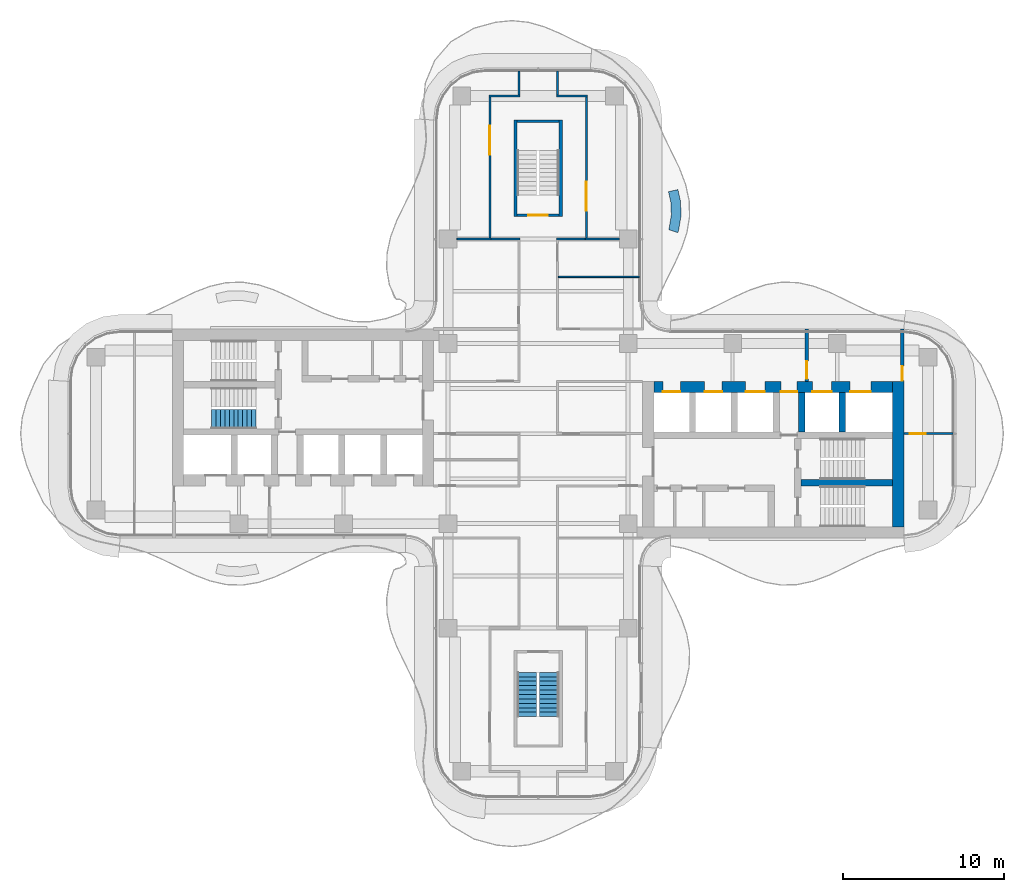
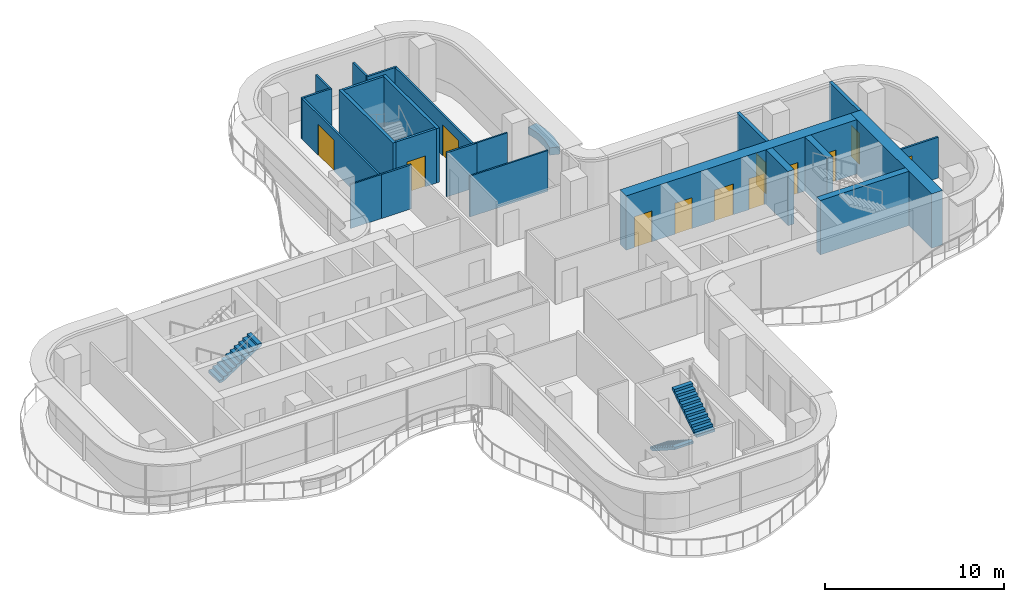
# One storey, part 13 of 16: 24 walls, 12 doors, 3 stair flights, 12 openings, 2 elements without a shape of their own.
"""IFC4 building model written with IfcOpenShell, lengths in metres."""

from ifc_helpers import new_model, si_unit, direction, frame, frame_2d, origin, place, context, subcontext, project, spatial, polyline, rectangle, outline, extrude, source, transform, mapped, material, layer, layer_set, type_object, element, fill, aggregate, save


model = new_model("IFC4")

# Units and contexts
model_context = context("Model", 3, precision=1e-05, world=origin(), true_north=direction((0.0, 1.0)))
body_context = subcontext(model_context, "Body", "Model", "MODEL_VIEW")
ifc_project = project(units=[si_unit("LENGTHUNIT", "METRE"), si_unit("AREAUNIT", "SQUARE_METRE"), si_unit("VOLUMEUNIT", "CUBIC_METRE"), si_unit("PLANEANGLEUNIT", "RADIAN"), si_unit("MASSUNIT", "GRAM", prefix="KILO")], contexts=[model_context])

# Site, building, storey
site_placement = place(None, origin())
site = spatial("IfcSite", under=ifc_project, at=site_placement, CompositionType="ELEMENT")
building_placement = place(site_placement, origin())
building = spatial("IfcBuilding", under=site, at=building_placement, Name="Trellis Farm Tower", CompositionType="ELEMENT")
storey_placement = place(building_placement, frame((0.0, 0.0, 251.89990234375)))
storey = spatial("IfcBuildingStorey", under=building, at=storey_placement, Name="L56", CompositionType="ELEMENT", Elevation=251.89990234375)

# Walls
ifc_material_1 = material(Name="Sandstone faced masonry planter", Category="masonry")
ifc_layer_1 = layer(ifc_material_1, 0.60009765625)
ifc_layer_set_1 = layer_set([ifc_layer_1], Name="PLANTER BED 600")
wall_type_1 = type_object("IfcWallType", Name="PLANTER BED 600", PredefinedType="USERDEFINED", material=ifc_layer_set_1)
placement = place(storey_placement, origin())
element("IfcWall", 1, at=placement, inside=storey, type_object=wall_type_1, Name="PLANTER bed", ObjectType="PLANTER", PredefinedType="USERDEFINED", context=body_context, shape_type="SweptSolid", body=[
    extrude(outline(polyline([(8.884765625, 13.54296875), (8.735595703125, 12.646484375), (8.684326171875, 12.493896484375), (8.115478515625, 12.68505859375), (8.151611328125, 12.792236328125), (8.283203125, 13.58349609375), (8.260009765625, 14.359375), (8.107177734375, 15.046875), (8.69287109375, 15.177001953125), (8.85791015625, 14.43408203125), (8.884765625, 13.54296875)])), origin(), (0.0, 0.0, 1.0), 0.5),
])
ifc_material_2 = material(Name="Concrete C60/75", Category="concrete")
ifc_layer_2 = layer(ifc_material_2, 0.699951171875)
ifc_layer_set_2 = layer_set([ifc_layer_2], Name="CORE OUTER WALL 700 CONCRETE C60/75")
wall_type_2 = type_object("IfcWallType", Name="CORE OUTER WALL 700 CONCRETE C60/75", PredefinedType="SHEAR", material=ifc_layer_set_2)
shared_shape_1 = source(origin(), body_context, "Body", "SweptSolid", [
    extrude(rectangle(XDim=9.050048828125, YDim=0.699951171875, at=frame_2d((4.52490234375, 0.0))), origin(), (0.0, 0.0, 1.0), 3.7001953125),
])
wall_2_placement = place(storey_placement, frame((22.39990234375, -5.800048828125, 0.0), z_axis=(0.0, 0.0, 1.0), x_axis=(0.0, 1.0, 0.0)))
element("IfcWall", 2, at=wall_2_placement, inside=storey, type_object=wall_type_2, Name="Core wall", PredefinedType="SHEAR", context=body_context, shape_type="MappedRepresentation", body=[
    mapped(shared_shape_1, transform((0.0, 0.0, 0.0))),
])
ifc_layer_3 = layer(ifc_material_2, 0.39990234375)
ifc_layer_set_3 = layer_set([ifc_layer_3], Name="CORE INNER WALL 400 CONCRETE C60/75")
wall_type_3 = type_object("IfcWallType", Name="CORE INNER WALL 400 CONCRETE C60/75", PredefinedType="SHEAR", material=ifc_layer_set_3)
shared_shape_2 = source(origin(), body_context, "Body", "SweptSolid", [
    extrude(rectangle(XDim=2.449951171875, YDim=0.39990234375, at=frame_2d((1.22509765625, 0.0))), origin(), (0.0, 0.0, 1.0), 3.7001953125),
])
for number, where, z_axis, x_axis, name in (
    (3, (16.39990234375, 0.10009765625, 0.0), (0.0, 0.0, 1.0), (0.0, 1.0, 0.0), "Core wall"),
    (4, (18.89990234375, 0.10009765625, 0.0), (0.0, 0.0, 1.0), (0.0, 1.0, 0.0), "Core wall"),
):
    element("IfcWall", number, at=place(storey_placement, frame(where, z_axis=z_axis, x_axis=x_axis)), inside=storey, type_object=wall_type_3, Name=name, PredefinedType="SHEAR", context=body_context, shape_type="MappedRepresentation", body=[
        mapped(shared_shape_2, transform((0.0, 0.0, 0.0))),
    ])

# Wall, opening, door
ifc_material_3 = material(Name="Masonry blockwork", Category="masonry")
ifc_layer_4 = layer(ifc_material_3, 0.199951171875)
ifc_layer_set_4 = layer_set([ifc_layer_4], Name="FIRE LOBBY PARTITION 200 BLOCKWORK")
wall_type_4 = type_object("IfcWallType", Name="FIRE LOBBY PARTITION 200 BLOCKWORK", PredefinedType="PARTITIONING", material=ifc_layer_set_4)
shared_shape_3 = source(origin(), body_context, "Body", "SweptSolid", [
    extrude(rectangle(XDim=3.25, YDim=0.199951171875, at=frame_2d((1.625, 0.0))), origin(), (0.0, 0.0, 1.0), 3.7001953125),
])
wall_3_placement = place(storey_placement, frame((16.699951171875, 3.25, 0.0), z_axis=(0.0, 0.0, 1.0), x_axis=(0.0, 1.0, 0.0)))
wall_3 = element("IfcWall", 5, at=wall_3_placement, inside=storey, type_object=wall_type_4, Name="Fire-fighting lobby partition", PredefinedType="PARTITIONING", context=body_context, shape_type="MappedRepresentation", body=[
    mapped(shared_shape_3, transform((0.0, 0.0, 0.0))),
])
shared_shape_4 = source(origin(), body_context, "Body", "SweptSolid", [
    extrude(rectangle(XDim=1.10009765625, YDim=2.10009765625, at=frame_2d((0.550048828125, 1.050048828125))), frame((0.0, 0.110107421875, 0.0), z_axis=(0.0, -1.0, 0.0), x_axis=(1.0, 0.0, 0.0)), (0.0, 0.0, 1.0), 0.22021484375),
])
opening_1_placement = place(wall_3_placement, frame((0.14990234375, 0.0, 0.0)))
opening_1 = element("IfcOpeningElement", 6, at=opening_1_placement, cuts=wall_3, Name="Opening DC7", PredefinedType="OPENING", context=body_context, shape_type="MappedRepresentation", body=[
    mapped(shared_shape_4, transform((0.0, 0.0, 0.0))),
])
ifc_material_4 = material(Name="Steel", Category="steel")
door_type_1 = type_object("IfcDoorType", Name="CORE FIRE DOOR 1100 X 2100", OperationType="NOTDEFINED", PredefinedType="DOOR", material=ifc_material_4)
shared_shape_5 = source(origin(), body_context, "Body", "SweptSolid", [
    extrude(rectangle(XDim=1.10009765625, YDim=2.10009765625, at=frame_2d((0.550048828125, 1.050048828125))), frame((0.0, 0.02490234375, 0.0), z_axis=(0.0, -1.0, 0.0), x_axis=(1.0, 0.0, 0.0)), (0.0, 0.0, 1.0), 0.050048828125),
])
door_1_placement = place(opening_1_placement, origin())
door_1 = element("IfcDoor", 7, at=door_1_placement, inside=storey, type_object=door_type_1, Name="Core door", OperationType="SINGLE_SWING_RIGHT", OverallHeight=2.10009765625, OverallWidth=1.10009765625, PredefinedType="DOOR", context=body_context, shape_type="MappedRepresentation", body=[
    mapped(shared_shape_5, transform((0.0, 0.0, 0.0))),
])
fill(opening_1, door_1)

wall_4_placement = place(storey_placement, frame((22.64990234375, 3.25, 0.0), z_axis=(0.0, 0.0, 1.0), x_axis=(0.0, 1.0, 0.0)))
wall_4 = element("IfcWall", 8, at=wall_4_placement, inside=storey, type_object=wall_type_4, Name="Fire-fighting lobby partition", PredefinedType="PARTITIONING", context=body_context, shape_type="MappedRepresentation", body=[
    mapped(shared_shape_3, transform((0.0, 0.0, 0.0))),
])
shared_shape_6 = source(origin(), body_context, "Body", "SweptSolid", [
    extrude(rectangle(XDim=0.89990234375, YDim=2.10009765625, at=frame_2d((0.449951171875, 1.050048828125))), frame((0.0, 0.110107421875, 0.0), z_axis=(0.0, -1.0, 0.0), x_axis=(1.0, 0.0, 0.0)), (0.0, 0.0, 1.0), 0.22021484375),
])
opening_2_placement = place(wall_4_placement, frame((0.050048828125, 0.0, 0.0)))
opening_2 = element("IfcOpeningElement", 9, at=opening_2_placement, cuts=wall_4, Name="Opening DC8", PredefinedType="OPENING", context=body_context, shape_type="MappedRepresentation", body=[
    mapped(shared_shape_6, transform((0.0, 0.0, 0.0))),
])
door_type_2 = type_object("IfcDoorType", Name="CORE FIRE DOOR 900 X 2100", OperationType="NOTDEFINED", PredefinedType="DOOR", material=ifc_material_4)
shared_shape_7 = source(origin(), body_context, "Body", "SweptSolid", [
    extrude(rectangle(XDim=0.89990234375, YDim=2.10009765625, at=frame_2d((0.449951171875, 1.050048828125))), frame((0.0, 0.02490234375, 0.0), z_axis=(0.0, -1.0, 0.0), x_axis=(1.0, 0.0, 0.0)), (0.0, 0.0, 1.0), 0.050048828125),
])
door_2_placement = place(opening_2_placement, origin())
door_2 = element("IfcDoor", 10, at=door_2_placement, inside=storey, type_object=door_type_2, Name="Core door", OperationType="SINGLE_SWING_RIGHT", OverallHeight=2.10009765625, OverallWidth=0.89990234375, PredefinedType="DOOR", context=body_context, shape_type="MappedRepresentation", body=[
    mapped(shared_shape_7, transform((0.0, 0.0, 0.0))),
])
fill(opening_2, door_2)

# Wall, openings, doors
shared_shape_8 = source(origin(), body_context, "Body", "SweptSolid", [
    extrude(rectangle(XDim=14.85009765625, YDim=0.699951171875, at=frame_2d((7.425048828125, 0.0))), origin(), (0.0, 0.0, 1.0), 3.7001953125),
])
wall_5_placement = place(storey_placement, frame((7.199951171875, 2.89990234375, 0.0), z_axis=(0.0, 0.0, 1.0), x_axis=(1.0, 0.0, 0.0)))
wall_5 = element("IfcWall", 11, at=wall_5_placement, inside=storey, type_object=wall_type_2, Name="Core wall", PredefinedType="SHEAR", context=body_context, shape_type="MappedRepresentation", body=[
    mapped(shared_shape_8, transform((0.0, 0.0, 0.0))),
])
shared_shape_9 = source(origin(), body_context, "Body", "SweptSolid", [
    extrude(rectangle(XDim=1.10009765625, YDim=2.10009765625, at=frame_2d((0.550048828125, 1.050048828125))), frame((0.0, 0.360107421875, 0.0), z_axis=(0.0, -1.0, 0.0), x_axis=(1.0, 0.0, 0.0)), (0.0, 0.0, 1.0), 0.72021484375),
])
opening_3_placement = place(wall_5_placement, frame((0.550048828125, 0.0, 0.0)))
opening_3 = element("IfcOpeningElement", 12, at=opening_3_placement, cuts=wall_5, Name="Opening LD4", PredefinedType="OPENING", context=body_context, shape_type="MappedRepresentation", body=[
    mapped(shared_shape_9, transform((0.0, 0.0, 0.0))),
])
opening_4_placement = place(wall_5_placement, frame((3.14990234375, 0.0, 0.0)))
opening_4 = element("IfcOpeningElement", 13, at=opening_4_placement, cuts=wall_5, Name="Opening LD5", PredefinedType="OPENING", context=body_context, shape_type="MappedRepresentation", body=[
    mapped(shared_shape_9, transform((0.0, 0.0, 0.0))),
])
shared_shape_10 = source(origin(), body_context, "Body", "SweptSolid", [
    extrude(rectangle(XDim=1.199951171875, YDim=2.10009765625, at=frame_2d((0.60009765625, 1.050048828125))), frame((0.0, 0.360107421875, 0.0), z_axis=(0.0, -1.0, 0.0), x_axis=(1.0, 0.0, 0.0)), (0.0, 0.0, 1.0), 0.72021484375),
])
opening_5_placement = place(wall_5_placement, frame((5.699951171875, 0.0, 0.0)))
opening_5 = element("IfcOpeningElement", 14, at=opening_5_placement, cuts=wall_5, Name="Opening LD6", PredefinedType="OPENING", context=body_context, shape_type="MappedRepresentation", body=[
    mapped(shared_shape_10, transform((0.0, 0.0, 0.0))),
])
shared_shape_11 = source(origin(), body_context, "Body", "SweptSolid", [
    extrude(rectangle(XDim=1.300048828125, YDim=2.10009765625, at=frame_2d((0.64990234375, 1.050048828125))), frame((0.0, 0.360107421875, 0.0), z_axis=(0.0, -1.0, 0.0), x_axis=(1.0, 0.0, 0.0)), (0.0, 0.0, 1.0), 0.72021484375),
])
opening_6_placement = place(wall_5_placement, frame((12.199951171875, 0.0, 0.0)))
opening_6 = element("IfcOpeningElement", 15, at=opening_6_placement, cuts=wall_5, Name="Opening LD7", PredefinedType="OPENING", context=body_context, shape_type="MappedRepresentation", body=[
    mapped(shared_shape_11, transform((0.0, 0.0, 0.0))),
])
opening_7_placement = place(wall_5_placement, frame((9.85009765625, 0.0, 0.0)))
opening_7 = element("IfcOpeningElement", 16, at=opening_7_placement, cuts=wall_5, Name="Opening LD8", PredefinedType="OPENING", context=body_context, shape_type="MappedRepresentation", body=[
    mapped(shared_shape_10, transform((0.0, 0.0, 0.0))),
])
shared_shape_12 = source(origin(), body_context, "Body", "SweptSolid", [
    extrude(rectangle(XDim=1.0, YDim=2.10009765625, at=frame_2d((0.5, 1.050048828125))), frame((0.0, 0.360107421875, 0.0), z_axis=(0.0, -1.0, 0.0), x_axis=(1.0, 0.0, 0.0)), (0.0, 0.0, 1.0), 0.72021484375),
])
opening_8_placement = place(wall_5_placement, frame((7.89990234375, 0.0, 0.0)))
opening_8 = element("IfcOpeningElement", 17, at=opening_8_placement, cuts=wall_5, Name="Opening DC6", PredefinedType="OPENING", context=body_context, shape_type="MappedRepresentation", body=[
    mapped(shared_shape_12, transform((0.0, 0.0, 0.0))),
])
door_type_3 = type_object("IfcDoorType", Name="CORE FIRE DOOR 1000 X 2100", OperationType="NOTDEFINED", PredefinedType="DOOR", material=ifc_material_4)
shared_shape_13 = source(origin(), body_context, "Body", "SweptSolid", [
    extrude(rectangle(XDim=1.0, YDim=2.10009765625, at=frame_2d((0.5, 1.050048828125))), frame((0.0, -0.27490234375, 0.0), z_axis=(0.0, -1.0, 0.0), x_axis=(1.0, 0.0, 0.0)), (0.0, 0.0, 1.0), 0.050048828125),
])
door_3_placement = place(opening_8_placement, origin())
door_3 = element("IfcDoor", 18, at=door_3_placement, inside=storey, type_object=door_type_3, Name="Core door", OperationType="SINGLE_SWING_LEFT", OverallHeight=2.10009765625, OverallWidth=1.0, PredefinedType="DOOR", context=body_context, shape_type="MappedRepresentation", body=[
    mapped(shared_shape_13, transform((0.0, 0.0, 0.0))),
])
fill(opening_8, door_3)
ifc_material_5 = material(Name="Stainless steel", Category="steel")
door_type_4 = type_object("IfcDoorType", Name="LIFT LANDING DOOR 1300 X 2100", OperationType="DOUBLE_DOOR_SLIDING", PredefinedType="DOOR", material=ifc_material_5)
shared_shape_14 = source(origin(), body_context, "Body", "SweptSolid", [
    extrude(rectangle(XDim=1.300048828125, YDim=2.10009765625, at=frame_2d((0.64990234375, 1.050048828125))), frame((0.0, -0.27490234375, 0.0), z_axis=(0.0, -1.0, 0.0), x_axis=(1.0, 0.0, 0.0)), (0.0, 0.0, 1.0), 0.050048828125),
])
door_4_placement = place(opening_6_placement, origin())
door_4 = element("IfcDoor", 19, at=door_4_placement, inside=storey, type_object=door_type_4, Name="Lift landing door", OperationType="DOUBLE_DOOR_SLIDING", OverallHeight=2.10009765625, OverallWidth=1.300048828125, PredefinedType="DOOR", context=body_context, shape_type="MappedRepresentation", body=[
    mapped(shared_shape_14, transform((0.0, 0.0, 0.0))),
])
fill(opening_6, door_4)
door_type_5 = type_object("IfcDoorType", Name="LIFT LANDING DOOR 1200 X 2100", OperationType="DOUBLE_DOOR_SLIDING", PredefinedType="DOOR", material=ifc_material_5)
shared_shape_15 = source(origin(), body_context, "Body", "SweptSolid", [
    extrude(rectangle(XDim=1.199951171875, YDim=2.10009765625, at=frame_2d((0.60009765625, 1.050048828125))), frame((0.0, -0.27490234375, 0.0), z_axis=(0.0, -1.0, 0.0), x_axis=(1.0, 0.0, 0.0)), (0.0, 0.0, 1.0), 0.050048828125),
])
door_5_placement = place(opening_5_placement, origin())
door_5 = element("IfcDoor", 20, at=door_5_placement, inside=storey, type_object=door_type_5, Name="Lift landing door", OperationType="DOUBLE_DOOR_SLIDING", OverallHeight=2.10009765625, OverallWidth=1.199951171875, PredefinedType="DOOR", context=body_context, shape_type="MappedRepresentation", body=[
    mapped(shared_shape_15, transform((0.0, 0.0, 0.0))),
])
fill(opening_5, door_5)
door_6_placement = place(opening_7_placement, origin())
door_6 = element("IfcDoor", 21, at=door_6_placement, inside=storey, type_object=door_type_5, Name="Lift landing door", OperationType="DOUBLE_DOOR_SLIDING", OverallHeight=2.10009765625, OverallWidth=1.199951171875, PredefinedType="DOOR", context=body_context, shape_type="MappedRepresentation", body=[
    mapped(shared_shape_15, transform((0.0, 0.0, 0.0))),
])
fill(opening_7, door_6)
door_type_6 = type_object("IfcDoorType", Name="LIFT LANDING DOOR 1100 X 2100", OperationType="DOUBLE_DOOR_SLIDING", PredefinedType="DOOR", material=ifc_material_5)
shared_shape_16 = source(origin(), body_context, "Body", "SweptSolid", [
    extrude(rectangle(XDim=1.10009765625, YDim=2.10009765625, at=frame_2d((0.550048828125, 1.050048828125))), frame((0.0, -0.27490234375, 0.0), z_axis=(0.0, -1.0, 0.0), x_axis=(1.0, 0.0, 0.0)), (0.0, 0.0, 1.0), 0.050048828125),
])
door_7_placement = place(opening_3_placement, origin())
door_7 = element("IfcDoor", 22, at=door_7_placement, inside=storey, type_object=door_type_6, Name="Lift landing door", OperationType="DOUBLE_DOOR_SLIDING", OverallHeight=2.10009765625, OverallWidth=1.10009765625, PredefinedType="DOOR", context=body_context, shape_type="MappedRepresentation", body=[
    mapped(shared_shape_16, transform((0.0, 0.0, 0.0))),
])
fill(opening_3, door_7)
door_8_placement = place(opening_4_placement, origin())
door_8 = element("IfcDoor", 23, at=door_8_placement, inside=storey, type_object=door_type_6, Name="Lift landing door", OperationType="DOUBLE_DOOR_SLIDING", OverallHeight=2.10009765625, OverallWidth=1.10009765625, PredefinedType="DOOR", context=body_context, shape_type="MappedRepresentation", body=[
    mapped(shared_shape_16, transform((0.0, 0.0, 0.0))),
])
fill(opening_4, door_8)

# Walls
shared_shape_17 = source(origin(), body_context, "Body", "SweptSolid", [
    extrude(rectangle(XDim=5.699951171875, YDim=0.39990234375, at=frame_2d((2.85009765625, 0.0))), origin(), (0.0, 0.0, 1.0), 3.7001953125),
])
wall_6_placement = place(storey_placement, frame((16.35009765625, -3.050048828125, 0.0), z_axis=(0.0, 0.0, 1.0), x_axis=(1.0, 0.0, 0.0)))
element("IfcWall", 24, at=wall_6_placement, inside=storey, type_object=wall_type_3, Name="Core wall", PredefinedType="SHEAR", context=body_context, shape_type="MappedRepresentation", body=[
    mapped(shared_shape_17, transform((0.0, 0.0, 0.0))),
])
ifc_layer_5 = layer(ifc_material_2, 0.199951171875)
ifc_layer_set_5 = layer_set([ifc_layer_5], Name="CORE STAIR ENCLOSURE WALL 200 CONCRETE C60/75")
wall_type_5 = type_object("IfcWallType", Name="CORE STAIR ENCLOSURE WALL 200 CONCRETE C60/75", PredefinedType="SHEAR", material=ifc_layer_set_5)
shared_shape_18 = source(origin(), body_context, "Body", "SweptSolid", [
    extrude(rectangle(XDim=6.0, YDim=0.199951171875, at=frame_2d((3.0, 0.0))), origin(), (0.0, 0.0, 1.0), 3.7001953125),
])
for number, where, z_axis, x_axis, name in (
    (25, (-1.39990234375, 13.5, 0.0), (0.0, 0.0, 1.0), (0.0, 1.0, 0.0), "Stair enclosure wall"),
    (26, (1.39990234375, 13.5, 0.0), (0.0, 0.0, 1.0), (0.0, 1.0, 0.0), "Stair enclosure wall"),
):
    element("IfcWall", number, at=place(storey_placement, frame(where, z_axis=z_axis, x_axis=x_axis)), inside=storey, type_object=wall_type_5, Name=name, PredefinedType="SHEAR", context=body_context, shape_type="MappedRepresentation", body=[
        mapped(shared_shape_18, transform((0.0, 0.0, 0.0))),
    ])

# Wall, opening, door
ifc_layer_6 = layer(ifc_material_2, 0.14990234375)
ifc_layer_set_6 = layer_set([ifc_layer_6], Name="CORE STAIR ENCLOSURE WALL 150 CONCRETE C60/75")
wall_type_6 = type_object("IfcWallType", Name="CORE STAIR ENCLOSURE WALL 150 CONCRETE C60/75", PredefinedType="SHEAR", material=ifc_layer_set_6)
shared_shape_19 = source(origin(), body_context, "Body", "SweptSolid", [
    extrude(rectangle(XDim=2.60009765625, YDim=0.14990234375, at=frame_2d((1.300048828125, 0.0))), origin(), (0.0, 0.0, 1.0), 3.7001953125),
])
wall_7_placement = place(storey_placement, frame((-1.300048828125, 13.574951171875, 0.0), z_axis=(0.0, 0.0, 1.0), x_axis=(1.0, 0.0, 0.0)))
wall_7 = element("IfcWall", 27, at=wall_7_placement, inside=storey, type_object=wall_type_6, Name="Stair enclosure wall", PredefinedType="SHEAR", context=body_context, shape_type="MappedRepresentation", body=[
    mapped(shared_shape_19, transform((0.0, 0.0, 0.0))),
])
shared_shape_20 = source(origin(), body_context, "Body", "SweptSolid", [
    extrude(rectangle(XDim=1.199951171875, YDim=2.10009765625, at=frame_2d((0.60009765625, 1.050048828125))), frame((0.0, 0.0849609375, 0.0), z_axis=(0.0, -1.0, 0.0), x_axis=(1.0, 0.0, 0.0)), (0.0, 0.0, 1.0), 0.169921875),
])
opening_9_placement = place(wall_7_placement, frame((0.699951171875, 0.0, 0.0)))
opening_9 = element("IfcOpeningElement", 28, at=opening_9_placement, cuts=wall_7, Name="Opening DC173", PredefinedType="OPENING", context=body_context, shape_type="MappedRepresentation", body=[
    mapped(shared_shape_20, transform((0.0, 0.0, 0.0))),
])
door_type_7 = type_object("IfcDoorType", Name="CORE FIRE DOOR 1200 X 2100", OperationType="NOTDEFINED", PredefinedType="DOOR", material=ifc_material_4)
shared_shape_21 = source(origin(), body_context, "Body", "SweptSolid", [
    extrude(rectangle(XDim=1.199951171875, YDim=2.10009765625, at=frame_2d((0.60009765625, 1.050048828125))), frame((0.0, 0.02490234375, 0.0), z_axis=(0.0, -1.0, 0.0), x_axis=(1.0, 0.0, 0.0)), (0.0, 0.0, 1.0), 0.050048828125),
])
door_9_placement = place(opening_9_placement, origin())
door_9 = element("IfcDoor", 29, at=door_9_placement, inside=storey, type_object=door_type_7, Name="Core door", OperationType="SINGLE_SWING_LEFT", OverallHeight=2.10009765625, OverallWidth=1.199951171875, PredefinedType="DOOR", context=body_context, shape_type="MappedRepresentation", body=[
    mapped(shared_shape_21, transform((0.0, 0.0, 0.0))),
])
fill(opening_9, door_9)

# Walls
wall_8_placement = place(storey_placement, frame((-1.300048828125, 19.425048828125, 0.0), z_axis=(0.0, 0.0, 1.0), x_axis=(1.0, 0.0, 0.0)))
element("IfcWall", 30, at=wall_8_placement, inside=storey, type_object=wall_type_6, Name="Stair enclosure wall", PredefinedType="SHEAR", context=body_context, shape_type="MappedRepresentation", body=[
    mapped(shared_shape_19, transform((0.0, 0.0, 0.0))),
])
ifc_material_6 = material(Name="Plasterboard on steel studs, mineral wool", Category="steel")
ifc_layer_7 = layer(ifc_material_6, 0.125)
ifc_layer_set_7 = layer_set([ifc_layer_7], Name="PARTITION 125 STUD EI 60")
wall_type_7 = type_object("IfcWallType", Name="PARTITION 125 STUD EI 60", PredefinedType="PARTITIONING", material=ifc_layer_set_7)
shared_shape_22 = source(origin(), body_context, "Body", "SweptSolid", [
    extrude(rectangle(XDim=1.925048828125, YDim=0.125, at=frame_2d((0.96240234375, 0.0))), origin(), (0.0, 0.0, 1.0), 2.99658203125),
])
for number, where, z_axis, x_axis, name in (
    (31, (-1.137451171875, 12.10009765625, 0.0), (0.0, 0.0, 1.0), (-1.0, 0.0, 0.0), "Partition PW1"),
    (32, (3.0625, 12.10009765625, 0.0), (0.0, 0.0, 1.0), (-1.0, 0.0, 0.0), "Partition PW1"),
):
    element("IfcWall", number, at=place(storey_placement, frame(where, z_axis=z_axis, x_axis=x_axis)), inside=storey, type_object=wall_type_7, Name=name, PredefinedType="PARTITIONING", context=body_context, shape_type="MappedRepresentation", body=[
        mapped(shared_shape_22, transform((0.0, 0.0, 0.0))),
    ])
ifc_material_7 = material(Name="Plasterboard on steel studs", Category="steel")
ifc_layer_8 = layer(ifc_material_7, 0.10009765625)
ifc_layer_set_8 = layer_set([ifc_layer_8], Name="PARTITION 100 STUD EI 30")
wall_type_8 = type_object("IfcWallType", Name="PARTITION 100 STUD EI 30", PredefinedType="PARTITIONING", material=ifc_layer_set_8)
shared_shape_23 = source(origin(), body_context, "Body", "SweptSolid", [
    extrude(rectangle(XDim=5.03759765625, YDim=0.10009765625, at=frame_2d((2.518798828125, 0.0))), origin(), (0.0, 0.0, 1.0), 2.780029296875),
])
wall_9_placement = place(storey_placement, frame((1.262451171875, 9.75, 0.0), z_axis=(0.0, 0.0, 1.0), x_axis=(1.0, 0.0, 0.0)))
element("IfcWall", 33, at=wall_9_placement, inside=storey, type_object=wall_type_8, Name="Partition PW2", PredefinedType="PARTITIONING", context=body_context, shape_type="MappedRepresentation", body=[
    mapped(shared_shape_23, transform((0.0, 0.0, 0.0))),
])
shared_shape_24 = source(origin(), body_context, "Body", "SweptSolid", [
    extrude(rectangle(XDim=1.487548828125, YDim=0.125, at=frame_2d((0.74365234375, 0.0))), origin(), (0.0, 0.0, 1.0), 2.780029296875),
])
for number, where, z_axis, x_axis, name in (
    (34, (-1.199951171875, 22.550048828125, 0.0), (0.0, 0.0, 1.0), (0.0, -1.0, 0.0), "Partition PW1"),
    (35, (1.199951171875, 22.550048828125, 0.0), (0.0, 0.0, 1.0), (0.0, -1.0, 0.0), "Partition PW1"),
):
    element("IfcWall", number, at=place(storey_placement, frame(where, z_axis=z_axis, x_axis=x_axis)), inside=storey, type_object=wall_type_7, Name=name, PredefinedType="PARTITIONING", context=body_context, shape_type="MappedRepresentation", body=[
        mapped(shared_shape_24, transform((0.0, 0.0, 0.0))),
    ])
shared_shape_25 = source(origin(), body_context, "Body", "SweptSolid", [
    extrude(rectangle(XDim=1.925048828125, YDim=0.125, at=frame_2d((0.96240234375, 0.0))), origin(), (0.0, 0.0, 1.0), 2.780029296875),
])
for number, where, z_axis, x_axis, name in (
    (36, (-3.0625, 21.0, 0.0), (0.0, 0.0, 1.0), (1.0, 0.0, 0.0), "Partition PW1"),
    (37, (1.137451171875, 21.0, 0.0), (0.0, 0.0, 1.0), (1.0, 0.0, 0.0), "Partition PW1"),
):
    element("IfcWall", number, at=place(storey_placement, frame(where, z_axis=z_axis, x_axis=x_axis)), inside=storey, type_object=wall_type_7, Name=name, PredefinedType="PARTITIONING", context=body_context, shape_type="MappedRepresentation", body=[
        mapped(shared_shape_25, transform((0.0, 0.0, 0.0))),
    ])

# Wall, opening, door
shared_shape_26 = source(origin(), body_context, "Body", "SweptSolid", [
    extrude(rectangle(XDim=8.78759765625, YDim=0.125, at=frame_2d((4.393798828125, 0.0))), origin(), (0.0, 0.0, 1.0), 2.780029296875),
])
wall_10_placement = place(storey_placement, frame((-3.0, 12.14990234375, 0.0), z_axis=(0.0, 0.0, 1.0), x_axis=(0.0, 1.0, 0.0)))
wall_10 = element("IfcWall", 38, at=wall_10_placement, inside=storey, type_object=wall_type_7, Name="Partition PW1", PredefinedType="PARTITIONING", context=body_context, shape_type="MappedRepresentation", body=[
    mapped(shared_shape_26, transform((0.0, 0.0, 0.0))),
])
shared_shape_27 = source(origin(), body_context, "Body", "SweptSolid", [
    extrude(rectangle(XDim=1.800048828125, YDim=2.10009765625, at=frame_2d((0.89990234375, 1.050048828125))), frame((0.0, 0.072509765625, 0.0), z_axis=(0.0, -1.0, 0.0), x_axis=(1.0, 0.0, 0.0)), (0.0, 0.0, 1.0), 0.14501953125),
])
opening_10_placement = place(wall_10_placement, frame((5.199951171875, 0.0, 0.0)))
opening_10 = element("IfcOpeningElement", 39, at=opening_10_placement, cuts=wall_10, Name="Opening D205", PredefinedType="OPENING", context=body_context, shape_type="MappedRepresentation", body=[
    mapped(shared_shape_27, transform((0.0, 0.0, 0.0))),
])
ifc_material_8 = material(Name="Fire-rated timber door leaf in a hollow metal frame", Category="wood")
door_type_8 = type_object("IfcDoorType", Name="DOOR PAIR 1800x2100 FD30S", OperationType="NOTDEFINED", PredefinedType="DOOR", material=ifc_material_8)
shared_shape_28 = source(origin(), body_context, "Body", "SweptSolid", [
    extrude(rectangle(XDim=1.800048828125, YDim=2.10009765625, at=frame_2d((0.89990234375, 1.050048828125))), frame((0.0, 0.02490234375, 0.0), z_axis=(0.0, -1.0, 0.0), x_axis=(1.0, 0.0, 0.0)), (0.0, 0.0, 1.0), 0.050048828125),
])
door_10_placement = place(opening_10_placement, origin())
door_10 = element("IfcDoor", 40, at=door_10_placement, inside=storey, type_object=door_type_8, Name="Door D205", OperationType="DOUBLE_DOOR_SINGLE_SWING", OverallHeight=2.10009765625, OverallWidth=1.800048828125, PredefinedType="DOOR", context=body_context, shape_type="MappedRepresentation", body=[
    mapped(shared_shape_28, transform((0.0, 0.0, 0.0))),
])
fill(opening_10, door_10)

wall_11_placement = place(storey_placement, frame((3.0, 20.9375, 0.0), z_axis=(0.0, 0.0, 1.0), x_axis=(0.0, -1.0, 0.0)))
wall_11 = element("IfcWall", 41, at=wall_11_placement, inside=storey, type_object=wall_type_7, Name="Partition PW1", PredefinedType="PARTITIONING", context=body_context, shape_type="MappedRepresentation", body=[
    mapped(shared_shape_26, transform((0.0, 0.0, 0.0))),
])
opening_11_placement = place(wall_11_placement, frame((5.28759765625, 0.0, 0.0)))
opening_11 = element("IfcOpeningElement", 42, at=opening_11_placement, cuts=wall_11, Name="Opening D204", PredefinedType="OPENING", context=body_context, shape_type="MappedRepresentation", body=[
    mapped(shared_shape_27, transform((0.0, 0.0, 0.0))),
])
door_11_placement = place(opening_11_placement, origin())
door_11 = element("IfcDoor", 43, at=door_11_placement, inside=storey, type_object=door_type_8, Name="Door D204", OperationType="DOUBLE_DOOR_SINGLE_SWING", OverallHeight=2.10009765625, OverallWidth=1.800048828125, PredefinedType="DOOR", context=body_context, shape_type="MappedRepresentation", body=[
    mapped(shared_shape_28, transform((0.0, 0.0, 0.0))),
])
fill(opening_11, door_11)

# Walls
shared_shape_29 = source(origin(), body_context, "Body", "SweptSolid", [
    extrude(rectangle(XDim=2.112548828125, YDim=0.10009765625, at=frame_2d((1.05615234375, 0.0))), origin(), (0.0, 0.0, 1.0), 2.99658203125),
])
for number, where, z_axis, x_axis, name in (
    (44, (-5.050048828125, 12.10009765625, 0.0), (0.0, 0.0, 1.0), (1.0, 0.0, 0.0), "Partition PW2"),
    (45, (2.9375, 12.10009765625, 0.0), (0.0, 0.0, 1.0), (1.0, 0.0, 0.0), "Partition PW2"),
):
    element("IfcWall", number, at=place(storey_placement, frame(where, z_axis=z_axis, x_axis=x_axis)), inside=storey, type_object=wall_type_8, Name=name, PredefinedType="PARTITIONING", context=body_context, shape_type="MappedRepresentation", body=[
        mapped(shared_shape_29, transform((0.0, 0.0, 0.0))),
    ])

# Wall, opening, door
shared_shape_30 = source(origin(), body_context, "Body", "SweptSolid", [
    extrude(rectangle(XDim=3.050048828125, YDim=0.125, at=frame_2d((1.52490234375, 0.0))), origin(), (0.0, 0.0, 1.0), 2.780029296875),
])
wall_12_placement = place(storey_placement, frame((25.800048828125, 0.0, 0.0), z_axis=(0.0, 0.0, 1.0), x_axis=(-1.0, 0.0, 0.0)))
wall_12 = element("IfcWall", 46, at=wall_12_placement, inside=storey, type_object=wall_type_7, Name="Partition PW1", PredefinedType="PARTITIONING", context=body_context, shape_type="MappedRepresentation", body=[
    mapped(shared_shape_30, transform((0.0, 0.0, 0.0))),
])
shared_shape_31 = source(origin(), body_context, "Body", "SweptSolid", [
    extrude(rectangle(XDim=1.0, YDim=2.10009765625, at=frame_2d((0.5, 1.050048828125))), frame((0.0, 0.072509765625, 0.0), z_axis=(0.0, -1.0, 0.0), x_axis=(1.0, 0.0, 0.0)), (0.0, 0.0, 1.0), 0.14501953125),
])
opening_12_placement = place(wall_12_placement, frame((1.699951171875, 0.0, 0.0)))
opening_12 = element("IfcOpeningElement", 47, at=opening_12_placement, cuts=wall_12, Name="Opening D104", PredefinedType="OPENING", context=body_context, shape_type="MappedRepresentation", body=[
    mapped(shared_shape_31, transform((0.0, 0.0, 0.0))),
])
door_type_9 = type_object("IfcDoorType", Name="DOOR 1000x2100 FD30S", OperationType="NOTDEFINED", PredefinedType="DOOR", material=ifc_material_8)
shared_shape_32 = source(origin(), body_context, "Body", "SweptSolid", [
    extrude(rectangle(XDim=1.0, YDim=2.10009765625, at=frame_2d((0.5, 1.050048828125))), frame((0.0, 0.02490234375, 0.0), z_axis=(0.0, -1.0, 0.0), x_axis=(1.0, 0.0, 0.0)), (0.0, 0.0, 1.0), 0.050048828125),
])
door_12_placement = place(opening_12_placement, origin())
door_12 = element("IfcDoor", 48, at=door_12_placement, inside=storey, type_object=door_type_9, Name="Door D104", OperationType="SINGLE_SWING_RIGHT", OverallHeight=2.10009765625, OverallWidth=1.0, PredefinedType="DOOR", context=body_context, shape_type="MappedRepresentation", body=[
    mapped(shared_shape_32, transform((0.0, 0.0, 0.0))),
])
fill(opening_12, door_12)

# Stair, stair flights
ifc_material_9 = material(Name="Concrete C50/60", Category="concrete")
stair_type = type_object("IfcStairType", Name="CORE EXIT STAIR 22 RISERS 177 MM", PredefinedType="HALF_TURN_STAIR", material=ifc_material_9)
stair_1 = element("IfcStair", 49, at=placement, inside=storey, type_object=stair_type, Name="Exit stair S", PredefinedType="HALF_TURN_STAIR")
stair_flight_type = type_object("IfcStairFlightType", Name="STAIR FLIGHT 11 RISERS 177 MM", PredefinedType="STRAIGHT", material=ifc_material_9)
shared_shape_33 = source(origin(), body_context, "Body", "SweptSolid", [
    extrude(outline(polyline([(0.0, 0.0), (0.0, 0.17724609375), (0.27490234375, 0.17724609375), (0.27490234375, 0.3544921875), (0.550048828125, 0.3544921875), (0.550048828125, 0.53173828125), (0.824951171875, 0.53173828125), (0.824951171875, 0.708984375), (1.10009765625, 0.708984375), (1.10009765625, 0.886474609375), (1.375, 0.886474609375), (1.375, 1.063720703125), (1.64990234375, 1.063720703125), (1.64990234375, 1.240966796875), (1.925048828125, 1.240966796875), (1.925048828125, 1.418212890625), (2.199951171875, 1.418212890625), (2.199951171875, 1.595458984375), (2.47509765625, 1.595458984375), (2.47509765625, 1.772705078125), (2.75, 1.772705078125), (2.75, 1.949951171875), (2.75, 1.6181640625), (0.23974609375, 0.0), (0.0, 0.0)])), frame((0.0, 0.60009765625, 0.0), z_axis=(0.0, -1.0, 0.0), x_axis=(1.0, 0.0, 0.0)), (0.0, 0.0, 1.0), 1.199951171875),
])
stair_flight_1_placement = place(storey_placement, frame((-0.699951171875, -14.85009765625, 0.0), z_axis=(0.0, 0.0, 1.0), x_axis=(0.0, -1.0, 0.0)))
stair_flight_1 = element("IfcStairFlight", 50, at=stair_flight_1_placement, type_object=stair_flight_type, Name="STS flight 1", NumberOfRisers=11, NumberOfTreads=10, PredefinedType="STRAIGHT", RiserHeight=0.177272727, TreadLength=0.275, context=body_context, shape_type="MappedRepresentation", body=[
    mapped(shared_shape_33, transform((0.0, 0.0, 0.0))),
])
stair_flight_2_placement = place(storey_placement, frame((0.699951171875, -17.60009765625, 1.9501953125), z_axis=(0.0, 0.0, 1.0), x_axis=(0.0, 1.0, 0.0)))
stair_flight_2 = element("IfcStairFlight", 51, at=stair_flight_2_placement, type_object=stair_flight_type, Name="STS flight 2", NumberOfRisers=11, NumberOfTreads=10, PredefinedType="STRAIGHT", RiserHeight=0.177272727, TreadLength=0.275, context=body_context, shape_type="MappedRepresentation", body=[
    mapped(shared_shape_33, transform((0.0, 0.0, 0.0))),
])
aggregate(stair_1, [stair_flight_1, stair_flight_2])

# Stair, stair flight
stair_2 = element("IfcStair", 52, at=placement, inside=storey, type_object=stair_type, Name="Exit stair W2", PredefinedType="HALF_TURN_STAIR")
stair_flight_3_placement = place(storey_placement, frame((-20.300048828125, 0.89990234375, 1.9501953125), z_axis=(0.0, 0.0, 1.0), x_axis=(1.0, 0.0, 0.0)))
stair_flight_3 = element("IfcStairFlight", 53, at=stair_flight_3_placement, type_object=stair_flight_type, Name="STW2 flight 2", NumberOfRisers=11, NumberOfTreads=10, PredefinedType="STRAIGHT", RiserHeight=0.177272727, TreadLength=0.275, context=body_context, shape_type="MappedRepresentation", body=[
    mapped(shared_shape_33, transform((0.0, 0.0, 0.0))),
])
aggregate(stair_2, [stair_flight_3])

save(model, "model.ifc")
